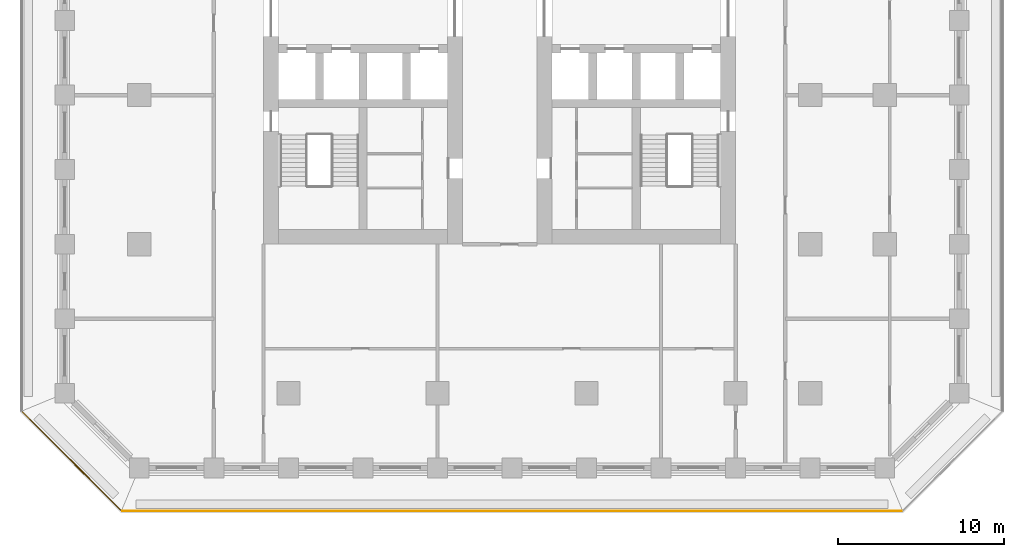
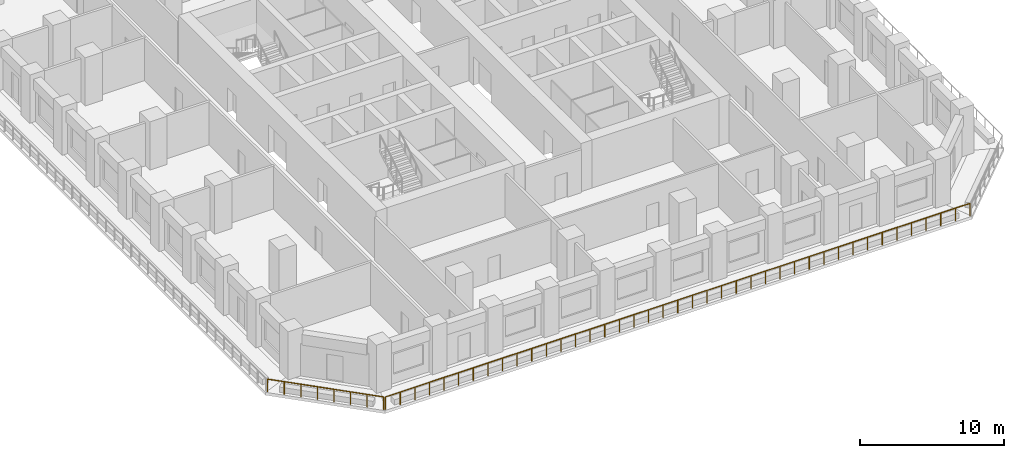
# One storey, part 9 of 17: 2 railings.
"""IFC4 building model written with IfcOpenShell, lengths in metres."""

from ifc_helpers import new_model, si_unit, direction, frame, origin, origin_2d, place, context, subcontext, project, spatial, circle, extrude, material, type_object, element, save


model = new_model("IFC4")

# Units and contexts
model_context = context("Model", 3, precision=1e-05, world=origin(), true_north=direction((0.0, 1.0)))
body_context = subcontext(model_context, "Body", "Model", "MODEL_VIEW")
ifc_project = project(units=[si_unit("LENGTHUNIT", "METRE"), si_unit("AREAUNIT", "SQUARE_METRE"), si_unit("VOLUMEUNIT", "CUBIC_METRE"), si_unit("PLANEANGLEUNIT", "RADIAN"), si_unit("MASSUNIT", "GRAM", prefix="KILO")], contexts=[model_context])

# Site, building, storey
site_placement = place(None, origin())
site = spatial("IfcSite", under=ifc_project, at=site_placement, CompositionType="ELEMENT")
building_placement = place(site_placement, origin())
building = spatial("IfcBuilding", under=site, at=building_placement, Name="Corbel Stack Research Tower", CompositionType="ELEMENT")
storey_placement = place(building_placement, frame((0.0, 0.0, 86.10009765625)))
storey = spatial("IfcBuildingStorey", under=building, at=storey_placement, Name="L19", CompositionType="ELEMENT", Elevation=86.10009765625)

# Railings
ifc_material = material(Name="Powder-coated steel guard", Category="steel")
railing_type = type_object("IfcRailingType", Name="Steel and glass guard 1100", PredefinedType="GUARDRAIL", material=ifc_material)
railing_1_placement = place(storey_placement, frame((-19.00537109375, -25.10009765625, 0.0)))
element("IfcRailing", 1, at=railing_1_placement, inside=storey, type_object=railing_type, Name="Loggia guard L19 S", PredefinedType="GUARDRAIL", context=body_context, shape_type="SweptSolid", body=[
    extrude(circle(Radius=0.02392578125, at=origin_2d()), frame((0.0, 0.0, 1.076171875), z_axis=(1.0, 0.0, 0.0), x_axis=(0.0, 1.0, 0.0)), (0.0, 0.0, 1.0), 47.0107421875),
    extrude(circle(Radius=0.02099609375, at=origin_2d()), origin(), (0.0, 0.0, 1.0), 1.052001953125),
    extrude(circle(Radius=0.02099609375, at=origin_2d()), frame((1.17529296875, 0.0, 0.0)), (0.0, 0.0, 1.0), 1.052001953125),
    extrude(circle(Radius=0.02099609375, at=origin_2d()), frame((2.3505859375, 0.0, 0.0)), (0.0, 0.0, 1.0), 1.052001953125),
    extrude(circle(Radius=0.02099609375, at=origin_2d()), frame((3.52587890625, 0.0, 0.0)), (0.0, 0.0, 1.0), 1.052001953125),
    extrude(circle(Radius=0.02099609375, at=origin_2d()), frame((4.701171875, 0.0, 0.0)), (0.0, 0.0, 1.0), 1.052001953125),
    extrude(circle(Radius=0.02099609375, at=origin_2d()), frame((5.87646484375, 0.0, 0.0)), (0.0, 0.0, 1.0), 1.052001953125),
    extrude(circle(Radius=0.02099609375, at=origin_2d()), frame((7.051513671875, 0.0, 0.0)), (0.0, 0.0, 1.0), 1.052001953125),
    extrude(circle(Radius=0.02099609375, at=origin_2d()), frame((8.226806640625, 0.0, 0.0)), (0.0, 0.0, 1.0), 1.052001953125),
    extrude(circle(Radius=0.02099609375, at=origin_2d()), frame((9.402099609375, 0.0, 0.0)), (0.0, 0.0, 1.0), 1.052001953125),
    extrude(circle(Radius=0.02099609375, at=origin_2d()), frame((10.577392578125, 0.0, 0.0)), (0.0, 0.0, 1.0), 1.052001953125),
    extrude(circle(Radius=0.02099609375, at=origin_2d()), frame((11.752685546875, 0.0, 0.0)), (0.0, 0.0, 1.0), 1.052001953125),
    extrude(circle(Radius=0.02099609375, at=origin_2d()), frame((12.927978515625, 0.0, 0.0)), (0.0, 0.0, 1.0), 1.052001953125),
    extrude(circle(Radius=0.02099609375, at=origin_2d()), frame((14.103271484375, 0.0, 0.0)), (0.0, 0.0, 1.0), 1.052001953125),
    extrude(circle(Radius=0.02099609375, at=origin_2d()), frame((15.278564453125, 0.0, 0.0)), (0.0, 0.0, 1.0), 1.052001953125),
    extrude(circle(Radius=0.02099609375, at=origin_2d()), frame((16.453857421875, 0.0, 0.0)), (0.0, 0.0, 1.0), 1.052001953125),
    extrude(circle(Radius=0.02099609375, at=origin_2d()), frame((17.62890625, 0.0, 0.0)), (0.0, 0.0, 1.0), 1.052001953125),
    extrude(circle(Radius=0.02099609375, at=origin_2d()), frame((18.80419921875, 0.0, 0.0)), (0.0, 0.0, 1.0), 1.052001953125),
    extrude(circle(Radius=0.02099609375, at=origin_2d()), frame((19.9794921875, 0.0, 0.0)), (0.0, 0.0, 1.0), 1.052001953125),
    extrude(circle(Radius=0.02099609375, at=origin_2d()), frame((21.15478515625, 0.0, 0.0)), (0.0, 0.0, 1.0), 1.052001953125),
    extrude(circle(Radius=0.02099609375, at=origin_2d()), frame((22.330078125, 0.0, 0.0)), (0.0, 0.0, 1.0), 1.052001953125),
    extrude(circle(Radius=0.02099609375, at=origin_2d()), frame((23.50537109375, 0.0, 0.0)), (0.0, 0.0, 1.0), 1.052001953125),
    extrude(circle(Radius=0.02099609375, at=origin_2d()), frame((24.6806640625, 0.0, 0.0)), (0.0, 0.0, 1.0), 1.052001953125),
    extrude(circle(Radius=0.02099609375, at=origin_2d()), frame((25.85595703125, 0.0, 0.0)), (0.0, 0.0, 1.0), 1.052001953125),
    extrude(circle(Radius=0.02099609375, at=origin_2d()), frame((27.03125, 0.0, 0.0)), (0.0, 0.0, 1.0), 1.052001953125),
    extrude(circle(Radius=0.02099609375, at=origin_2d()), frame((28.20654296875, 0.0, 0.0)), (0.0, 0.0, 1.0), 1.052001953125),
    extrude(circle(Radius=0.02099609375, at=origin_2d()), frame((29.3818359375, 0.0, 0.0)), (0.0, 0.0, 1.0), 1.052001953125),
    extrude(circle(Radius=0.02099609375, at=origin_2d()), frame((30.556884765625, 0.0, 0.0)), (0.0, 0.0, 1.0), 1.052001953125),
    extrude(circle(Radius=0.02099609375, at=origin_2d()), frame((31.732177734375, 0.0, 0.0)), (0.0, 0.0, 1.0), 1.052001953125),
    extrude(circle(Radius=0.02099609375, at=origin_2d()), frame((32.907470703125, 0.0, 0.0)), (0.0, 0.0, 1.0), 1.052001953125),
    extrude(circle(Radius=0.02099609375, at=origin_2d()), frame((34.082763671875, 0.0, 0.0)), (0.0, 0.0, 1.0), 1.052001953125),
    extrude(circle(Radius=0.02099609375, at=origin_2d()), frame((35.258056640625, 0.0, 0.0)), (0.0, 0.0, 1.0), 1.052001953125),
    extrude(circle(Radius=0.02099609375, at=origin_2d()), frame((36.433349609375, 0.0, 0.0)), (0.0, 0.0, 1.0), 1.052001953125),
    extrude(circle(Radius=0.02099609375, at=origin_2d()), frame((37.608642578125, 0.0, 0.0)), (0.0, 0.0, 1.0), 1.052001953125),
    extrude(circle(Radius=0.02099609375, at=origin_2d()), frame((38.783935546875, 0.0, 0.0)), (0.0, 0.0, 1.0), 1.052001953125),
    extrude(circle(Radius=0.02099609375, at=origin_2d()), frame((39.959228515625, 0.0, 0.0)), (0.0, 0.0, 1.0), 1.052001953125),
    extrude(circle(Radius=0.02099609375, at=origin_2d()), frame((41.13427734375, 0.0, 0.0)), (0.0, 0.0, 1.0), 1.052001953125),
    extrude(circle(Radius=0.02099609375, at=origin_2d()), frame((42.3095703125, 0.0, 0.0)), (0.0, 0.0, 1.0), 1.052001953125),
    extrude(circle(Radius=0.02099609375, at=origin_2d()), frame((43.48486328125, 0.0, 0.0)), (0.0, 0.0, 1.0), 1.052001953125),
    extrude(circle(Radius=0.02099609375, at=origin_2d()), frame((44.66015625, 0.0, 0.0)), (0.0, 0.0, 1.0), 1.052001953125),
    extrude(circle(Radius=0.02099609375, at=origin_2d()), frame((45.83544921875, 0.0, 0.0)), (0.0, 0.0, 1.0), 1.052001953125),
    extrude(circle(Radius=0.02099609375, at=origin_2d()), frame((47.0107421875, 0.0, 0.0)), (0.0, 0.0, 1.0), 1.052001953125),
])
railing_2_placement = place(storey_placement, frame((-25.04931640625, -19.127685546875, 0.0)))
element("IfcRailing", 2, at=railing_2_placement, inside=storey, type_object=railing_type, Name="Loggia guard L19 SW", PredefinedType="GUARDRAIL", context=body_context, shape_type="SweptSolid", body=[
    extrude(circle(Radius=0.02392578125, at=origin_2d()), frame((0.0, 0.0, 1.076171875), z_axis=(0.707106781187, -0.707106781187, 0.0), x_axis=(0.707106781187, 0.707106781187, 0.0)), (0.0, 0.0, 1.0), 8.37451171875),
    extrude(circle(Radius=0.02099609375, at=origin_2d()), origin(), (0.0, 0.0, 1.0), 1.052001953125),
    extrude(circle(Radius=0.02099609375, at=origin_2d()), frame((0.845947265625, -0.845947265625, 0.0)), (0.0, 0.0, 1.0), 1.052001953125),
    extrude(circle(Radius=0.02099609375, at=origin_2d()), frame((1.69189453125, -1.69189453125, 0.0)), (0.0, 0.0, 1.0), 1.052001953125),
    extrude(circle(Radius=0.02099609375, at=origin_2d()), frame((2.537841796875, -2.537841796875, 0.0)), (0.0, 0.0, 1.0), 1.052001953125),
    extrude(circle(Radius=0.02099609375, at=origin_2d()), frame((3.3837890625, -3.3837890625, 0.0)), (0.0, 0.0, 1.0), 1.052001953125),
    extrude(circle(Radius=0.02099609375, at=origin_2d()), frame((4.229736328125, -4.229736328125, 0.0)), (0.0, 0.0, 1.0), 1.052001953125),
    extrude(circle(Radius=0.02099609375, at=origin_2d()), frame((5.07568359375, -5.07568359375, 0.0)), (0.0, 0.0, 1.0), 1.052001953125),
    extrude(circle(Radius=0.02099609375, at=origin_2d()), frame((5.921630859375, -5.921630859375, 0.0)), (0.0, 0.0, 1.0), 1.052001953125),
])

save(model, "model.ifc")
